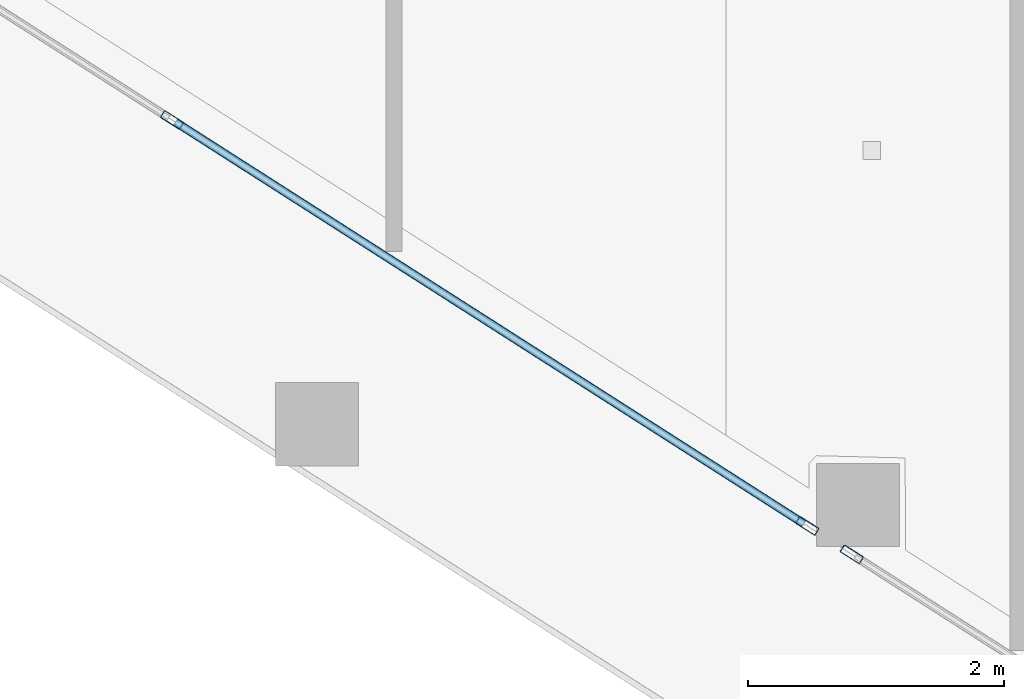
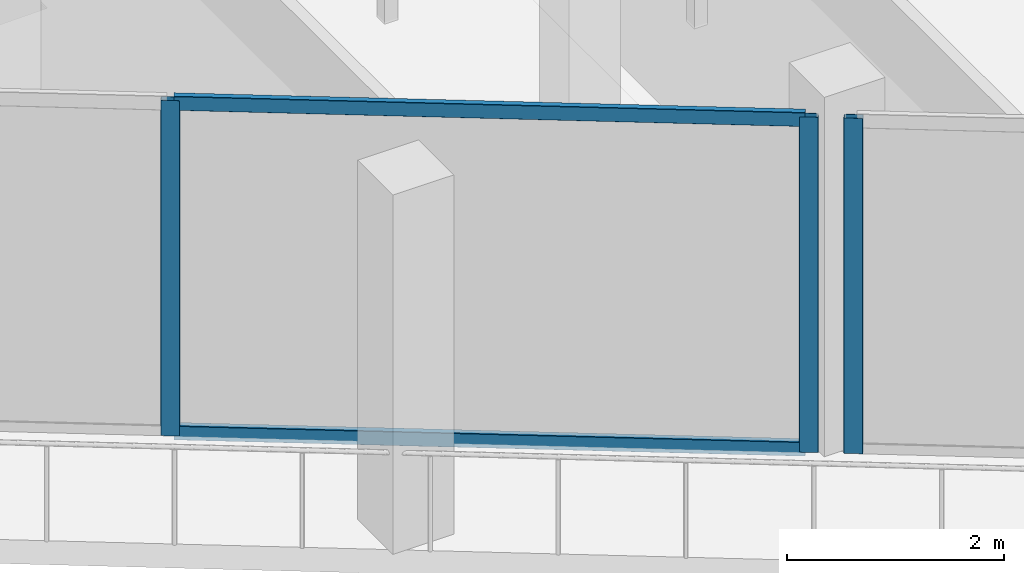
# One storey, part 2 of 39: 5 members, 2 elements without a shape of their own.
"""IFC4 building model written with IfcOpenShell, lengths in metres."""

from ifc_helpers import new_model, si_unit, direction, frame, origin, origin_2d, place, context, subcontext, project, spatial, hollow_rectangle, extrude, material, layer, layer_set, material_profile, profile_set, type_object, element, aggregate, save


model = new_model("IFC4")

# Units and contexts
model_context = context("Model", 3, precision=1e-05, world=origin(), true_north=direction((0.0, 1.0)))
body_context = subcontext(model_context, "Body", "Model", "MODEL_VIEW")
ifc_project = project(units=[si_unit("LENGTHUNIT", "METRE"), si_unit("AREAUNIT", "SQUARE_METRE"), si_unit("VOLUMEUNIT", "CUBIC_METRE"), si_unit("PLANEANGLEUNIT", "RADIAN"), si_unit("MASSUNIT", "GRAM", prefix="KILO")], contexts=[model_context])

# Site, building, storey
site_placement = place(None, origin())
site = spatial("IfcSite", under=ifc_project, at=site_placement, CompositionType="ELEMENT")
building_placement = place(site_placement, origin())
building = spatial("IfcBuilding", under=site, at=building_placement, Name="Qorvath Tower", CompositionType="ELEMENT")
storey_placement = place(building_placement, frame((0.0, 0.0, 162.449951171875)))
storey = spatial("IfcBuildingStorey", under=building, at=storey_placement, Name="L37", CompositionType="ELEMENT", Elevation=162.449951171875)

# Curtain wall, members
ifc_material_1 = material(Name="Anodised aluminium and triple low-E glass", Category="aluminium")
ifc_layer = layer(ifc_material_1, 0.179931640625)
ifc_layer_set = layer_set([ifc_layer], Name="CW-SYS-3")
curtain_wall_type = type_object("IfcCurtainWallType", Name="CW-SYS-3", PredefinedType="NOTDEFINED", material=ifc_layer_set)
curtain_wall_1_placement = place(storey_placement, origin())
curtain_wall_1 = element("IfcCurtainWall", 1, at=curtain_wall_1_placement, inside=storey, type_object=curtain_wall_type, Name="Curtain Wall CW-3 CW-T-L37-2.1", PredefinedType="NOTDEFINED")
ifc_material_2 = material(Name="Anodised aluminium 6063-T6", Category="aluminium")
ifc_material_profile_1 = material_profile(ifc_material_2, hollow_rectangle(XDim=0.06494140625, YDim=0.179931640625, WallThickness=0.00341796875, InnerFilletRadius=0.00341796875, OuterFilletRadius=0.007080078125, at=origin_2d()), Name="CWM 180x65")
ifc_profile_set_1 = profile_set([ifc_material_profile_1], Name="Anodised aluminium 6063-T6")
member_type_1 = type_object("IfcMemberType", Name="CWM-180", PredefinedType="MULLION", material=ifc_profile_set_1)
member_1_placement = place(storey_placement, frame((-36.38525390625, -16.447509765625, 0.0), z_axis=(0.0, 0.0, 1.0), x_axis=(0.538533895245, 0.842603847411, 0.0)))
member_1 = element("IfcMember", 2, at=member_1_placement, type_object=member_type_1, Name="CW-3 mullion 5", PredefinedType="MULLION", context=body_context, shape_type="SweptSolid", body=[
    extrude(hollow_rectangle(XDim=0.06494140625, YDim=0.179931640625, WallThickness=0.00341796875, InnerFilletRadius=0.00341796875, OuterFilletRadius=0.007080078125, at=origin_2d()), origin(), (0.0, 0.0, 1.0), 3.780029296875),
])
member_2_placement = place(storey_placement, frame((-31.413330078125, -19.625, 0.0), z_axis=(0.0, 0.0, 1.0), x_axis=(0.538533895245, 0.842603847411, 0.0)))
member_2 = element("IfcMember", 3, at=member_2_placement, type_object=member_type_1, Name="CW-3 mullion 6", PredefinedType="MULLION", context=body_context, shape_type="SweptSolid", body=[
    extrude(hollow_rectangle(XDim=0.06494140625, YDim=0.179931640625, WallThickness=0.00341796875, InnerFilletRadius=0.00341796875, OuterFilletRadius=0.007080078125, at=origin_2d()), origin(), (0.0, 0.0, 1.0), 3.780029296875),
])

# Curtain wall, member
curtain_wall_2_placement = place(storey_placement, origin())
curtain_wall_2 = element("IfcCurtainWall", 4, at=curtain_wall_2_placement, inside=storey, type_object=curtain_wall_type, Name="Curtain Wall CW-3 CW-T-L37-2.2", PredefinedType="NOTDEFINED")
member_3_placement = place(storey_placement, frame((-31.06494140625, -19.847900390625, 0.0), z_axis=(0.0, 0.0, 1.0), x_axis=(0.53853971351, 0.842600128752, 0.0)))
member_3 = element("IfcMember", 5, at=member_3_placement, type_object=member_type_1, Name="CW-3 mullion 1", PredefinedType="MULLION", context=body_context, shape_type="SweptSolid", body=[
    extrude(hollow_rectangle(XDim=0.06494140625, YDim=0.179931640625, WallThickness=0.00341796875, InnerFilletRadius=0.00341796875, OuterFilletRadius=0.007080078125, at=origin_2d()), origin(), (0.0, 0.0, 1.0), 3.780029296875),
])
aggregate(curtain_wall_2, [member_3])

# Member
ifc_material_3 = material(Name="Anodised aluminium 6063-T6", Category="aluminium")
ifc_material_profile_2 = material_profile(ifc_material_3, hollow_rectangle(XDim=0.06494140625, YDim=0.159912109375, WallThickness=0.00341796875, InnerFilletRadius=0.00341796875, OuterFilletRadius=0.007080078125, at=origin_2d()), Name="CWT 160x65")
ifc_profile_set_2 = profile_set([ifc_material_profile_2], Name="Anodised aluminium 6063-T6")
member_type_2 = type_object("IfcMemberType", Name="CWT-160", PredefinedType="USERDEFINED", material=ifc_profile_set_2)
member_4_placement = place(storey_placement, frame((-36.35791015625, -16.46484375, 0.032470703125), z_axis=(0.842598707397, -0.538541937358, 0.0), x_axis=(0.538541937358, 0.842598707397, 0.0)))
member_4 = element("IfcMember", 6, at=member_4_placement, type_object=member_type_2, Name="CW-3 transom 5.1", ObjectType="TRANSOM", PredefinedType="USERDEFINED", context=body_context, shape_type="SweptSolid", body=[
    extrude(hollow_rectangle(XDim=0.06494140625, YDim=0.159912109375, WallThickness=0.00341796875, InnerFilletRadius=0.00341796875, OuterFilletRadius=0.007080078125, at=origin_2d()), origin(), (0.0, 0.0, 1.0), 5.835693359375),
])

member_5_placement = place(storey_placement, frame((-36.35791015625, -16.46484375, 3.74755859375), z_axis=(0.842598707397, -0.538541937358, 0.0), x_axis=(0.538541937358, 0.842598707397, 0.0)))
member_5 = element("IfcMember", 7, at=member_5_placement, type_object=member_type_2, Name="CW-3 transom 5.2", ObjectType="TRANSOM", PredefinedType="USERDEFINED", context=body_context, shape_type="SweptSolid", body=[
    extrude(hollow_rectangle(XDim=0.06494140625, YDim=0.159912109375, WallThickness=0.00341796875, InnerFilletRadius=0.00341796875, OuterFilletRadius=0.007080078125, at=origin_2d()), origin(), (0.0, 0.0, 1.0), 5.835693359375),
])

aggregate(curtain_wall_1, [member_1, member_2, member_4, member_5])

save(model, "model.ifc")
